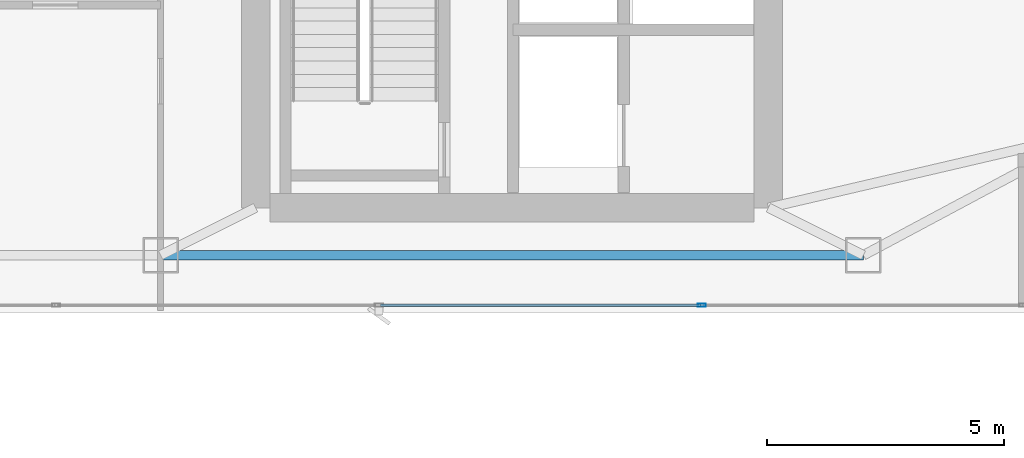
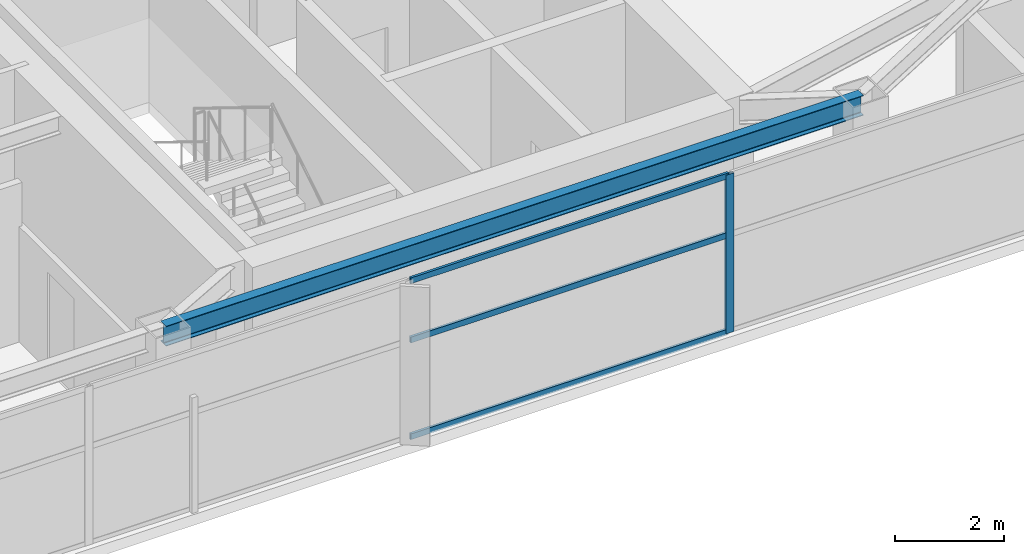
# One storey, part 8 of 27: 4 members, 1 beam, 1 element without a shape of its own.
"""IFC4 building model written with IfcOpenShell, lengths in metres."""

from ifc_helpers import new_model, si_unit, direction, frame, origin, origin_2d, place, context, subcontext, project, spatial, hollow_rectangle, i_section, extrude, material, layer, layer_set, material_profile, profile_set, type_object, element, aggregate, save


model = new_model("IFC4")

# Units and contexts
model_context = context("Model", 3, precision=1e-05, world=origin(), true_north=direction((0.0, 1.0)))
body_context = subcontext(model_context, "Body", "Model", "MODEL_VIEW")
ifc_project = project(units=[si_unit("LENGTHUNIT", "METRE"), si_unit("AREAUNIT", "SQUARE_METRE"), si_unit("VOLUMEUNIT", "CUBIC_METRE"), si_unit("PLANEANGLEUNIT", "RADIAN"), si_unit("MASSUNIT", "GRAM", prefix="KILO")], contexts=[model_context])

# Site, building, storey
site_placement = place(None, origin())
site = spatial("IfcSite", under=ifc_project, at=site_placement, CompositionType="ELEMENT")
building_placement = place(site_placement, origin())
building = spatial("IfcBuilding", under=site, at=building_placement, Name="Calvorn Quay Hotel", CompositionType="ELEMENT")
storey_placement = place(building_placement, frame((0.0, 0.0, 291.10009765625)))
storey = spatial("IfcBuildingStorey", under=building, at=storey_placement, Name="L72", CompositionType="ELEMENT", Elevation=291.10009765625)

# Beam
ifc_material_1 = material(Name="Steel Q355B", Category="steel")
ifc_material_profile_1 = material_profile(ifc_material_1, i_section(OverallWidth=0.199951171875, OverallDepth=0.449951171875, WebThickness=0.009033203125, FlangeThickness=0.013916015625, FilletRadius=0.01611328125, at=origin_2d()), Name="HN450x200x9x14")
ifc_profile_set_1 = profile_set([ifc_material_profile_1], Name="Steel Q355B")
beam_type = type_object("IfcBeamType", Name="BM-SPANDREL-Z3", PredefinedType="SPANDREL", material=ifc_profile_set_1)
beam_placement = place(storey_placement, frame((19.60009765625, 3.60009765625, 3.31494140625), z_axis=(1.0, 0.0, 0.0), x_axis=(0.0, 1.0, 0.0)))
element("IfcBeam", 1, at=beam_placement, inside=storey, type_object=beam_type, Name="Beam BSP-L72-S3", PredefinedType="SPANDREL", context=body_context, shape_type="SweptSolid", body=[
    extrude(i_section(OverallWidth=0.199951171875, OverallDepth=0.449951171875, WebThickness=0.009033203125, FlangeThickness=0.013916015625, FilletRadius=0.01611328125, at=origin_2d()), origin(), (0.0, 0.0, 1.0), 14.7998046875),
])

# Curtain wall, members
ifc_material_2 = material(Name="Champagne Bronze Anodised Aluminium and Low-E Glass", Category="aluminium")
ifc_layer = layer(ifc_material_2, 0.219970703125)
ifc_layer_set = layer_set([ifc_layer], Name="CW-SYS-Z4")
curtain_wall_type = type_object("IfcCurtainWallType", Name="CW-SYS-Z4", PredefinedType="NOTDEFINED", material=ifc_layer_set)
curtain_wall_placement = place(storey_placement, origin())
curtain_wall = element("IfcCurtainWall", 2, at=curtain_wall_placement, inside=storey, type_object=curtain_wall_type, Name="Tower South Waterfront Curtain Wall (L72)", PredefinedType="NOTDEFINED")
ifc_material_3 = material(Name="Champagne Bronze Anodised Aluminium 6063-T6", Category="aluminium")
ifc_material_profile_2 = material_profile(ifc_material_3, hollow_rectangle(XDim=0.06494140625, YDim=0.169921875, WallThickness=0.00341796875, at=origin_2d()), Name="ALU-M170x65x3.5")
ifc_profile_set_2 = profile_set([ifc_material_profile_2], Name="Champagne Bronze Anodised Aluminium 6063-T6")
member_type_1 = type_object("IfcMemberType", Name="CW-SYS-Z4-MUL", PredefinedType="MULLION", material=ifc_profile_set_2)
member_1_placement = place(storey_placement, frame((31.0, 2.550048828125, 0.0), z_axis=(0.0, 0.0, 1.0), x_axis=(0.0, 1.0, 0.0)))
member_1 = element("IfcMember", 3, at=member_1_placement, type_object=member_type_1, Name="CW-L72-S mullion 4", PredefinedType="MULLION", context=body_context, shape_type="SweptSolid", body=[
    extrude(hollow_rectangle(XDim=0.06494140625, YDim=0.169921875, WallThickness=0.00341796875, at=origin_2d()), origin(), (0.0, 0.0, 1.0), 3.559814453125),
])
ifc_material_4 = material(Name="Champagne Bronze Anodised Aluminium 6063-T6", Category="aluminium")
ifc_material_profile_3 = material_profile(ifc_material_4, hollow_rectangle(XDim=0.054931640625, YDim=0.1298828125, WallThickness=0.003173828125, at=origin_2d()), Name="ALU-T130x55x3.2")
ifc_profile_set_3 = profile_set([ifc_material_profile_3], Name="Champagne Bronze Anodised Aluminium 6063-T6")
member_type_2 = type_object("IfcMemberType", Name="CW-SYS-Z4-TRN", PredefinedType="USERDEFINED", material=ifc_profile_set_3)
member_2_placement = place(storey_placement, frame((24.22998046875, 2.550048828125, 0.02978515625), z_axis=(1.0, 0.0, 0.0), x_axis=(0.0, 1.0, 0.0)))
member_2 = element("IfcMember", 4, at=member_2_placement, type_object=member_type_2, Name="CW-L72-S transom 3.1", ObjectType="TRANSOM", PredefinedType="USERDEFINED", context=body_context, shape_type="SweptSolid", body=[
    extrude(hollow_rectangle(XDim=0.054931640625, YDim=0.1298828125, WallThickness=0.003173828125, at=origin_2d()), origin(), (0.0, 0.0, 1.0), 6.739990234375),
])
member_3_placement = place(storey_placement, frame((24.22998046875, 2.550048828125, 2.199951171875), z_axis=(1.0, 0.0, 0.0), x_axis=(0.0, 1.0, 0.0)))
member_3 = element("IfcMember", 5, at=member_3_placement, type_object=member_type_2, Name="CW-L72-S transom 3.2", ObjectType="TRANSOM", PredefinedType="USERDEFINED", context=body_context, shape_type="SweptSolid", body=[
    extrude(hollow_rectangle(XDim=0.054931640625, YDim=0.1298828125, WallThickness=0.003173828125, at=origin_2d()), origin(), (0.0, 0.0, 1.0), 6.739990234375),
])
member_4_placement = place(storey_placement, frame((24.22998046875, 2.550048828125, 3.52978515625), z_axis=(1.0, 0.0, 0.0), x_axis=(0.0, 1.0, 0.0)))
member_4 = element("IfcMember", 6, at=member_4_placement, type_object=member_type_2, Name="CW-L72-S transom 3.3", ObjectType="TRANSOM", PredefinedType="USERDEFINED", context=body_context, shape_type="SweptSolid", body=[
    extrude(hollow_rectangle(XDim=0.054931640625, YDim=0.1298828125, WallThickness=0.003173828125, at=origin_2d()), origin(), (0.0, 0.0, 1.0), 6.739990234375),
])
aggregate(curtain_wall, [member_1, member_2, member_3, member_4])

save(model, "model.ifc")
